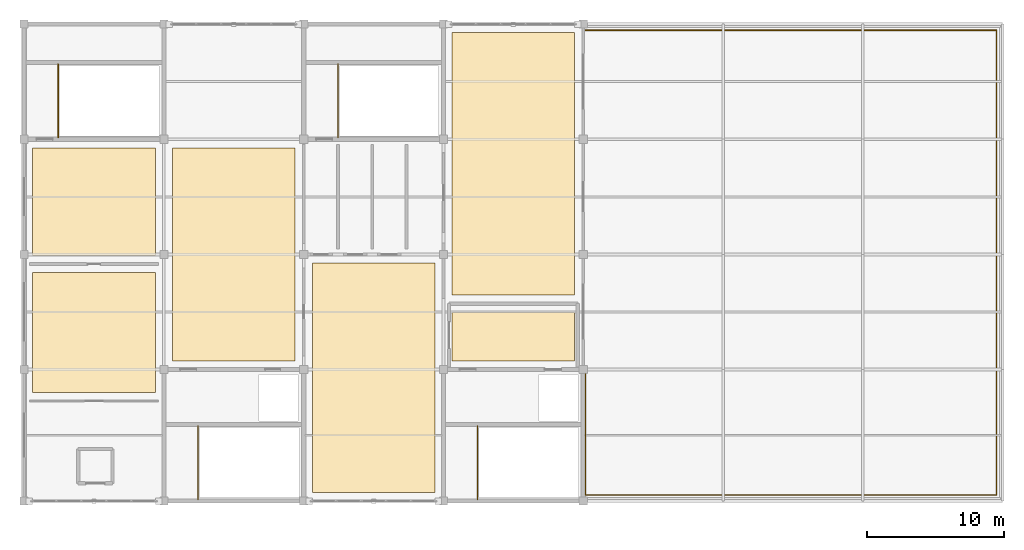
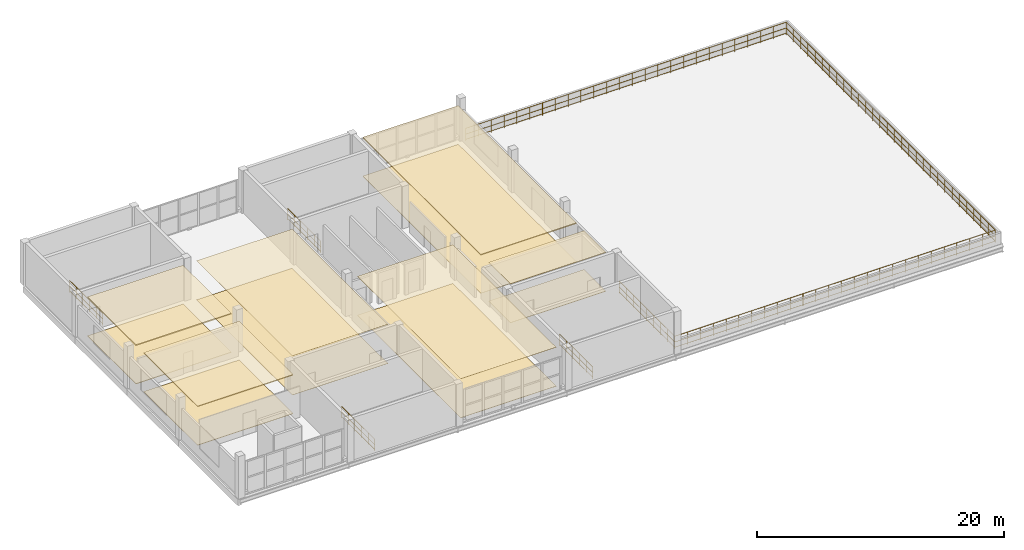
# One storey, part 12 of 12: 12 coverings, 8 railings.
"""IFC4 building model written with IfcOpenShell, lengths in metres."""

from ifc_helpers import new_model, si_unit, direction, frame, origin, origin_2d, place, context, subcontext, project, spatial, polyline, circle, outline, extrude, material, layer, layer_set, type_object, element, save


model = new_model("IFC4")

# Units and contexts
model_context = context("Model", 3, precision=1e-05, world=origin(), true_north=direction((0.0, 1.0)))
body_context = subcontext(model_context, "Body", "Model", "MODEL_VIEW")
ifc_project = project(units=[si_unit("LENGTHUNIT", "METRE"), si_unit("AREAUNIT", "SQUARE_METRE"), si_unit("VOLUMEUNIT", "CUBIC_METRE"), si_unit("PLANEANGLEUNIT", "RADIAN"), si_unit("MASSUNIT", "GRAM", prefix="KILO")], contexts=[model_context])

# Site, building, storey
site_placement = place(None, origin())
site = spatial("IfcSite", under=ifc_project, at=site_placement, CompositionType="ELEMENT")
building_placement = place(site_placement, origin())
building = spatial("IfcBuilding", under=site, at=building_placement, Name="Brelvane Convention Centre", CompositionType="ELEMENT")
storey_placement = place(building_placement, frame((0.0, 0.0, 23.39990234375)))
storey = spatial("IfcBuildingStorey", under=building, at=storey_placement, Name="L05", CompositionType="ELEMENT", Elevation=23.39990234375)

# Coverings
ifc_material_1 = material(Name="Perforated Anodised Aluminium Alloy 6063 Acoustic Baffle", Category="aluminium")
ifc_layer_1 = layer(ifc_material_1, 0.110107421875)
ifc_layer_set_1 = layer_set([ifc_layer_1], Name="Perforated Anodised Aluminium Alloy 6063 Acoustic Baffle")
covering_type_1 = type_object("IfcCoveringType", Name="Interior Finish CL-BAF-110", PredefinedType="CEILING", material=ifc_layer_set_1)
covering_1_placement = place(storey_placement, frame((0.0, 0.0, 3.781982421875)))
element("IfcCovering", 1, at=covering_1_placement, inside=storey, type_object=covering_type_1, Name="Panorama Finishing Kitchen Acoustic Ceiling (CL-BAF-110)", PredefinedType="CEILING", context=body_context, shape_type="SweptSolid", body=[
    extrude(outline(polyline([(0.6298828125, 127.1298828125), (9.570068359375, 127.1298828125), (9.570068359375, 134.969970703125), (0.6298828125, 134.969970703125), (0.6298828125, 127.1298828125)])), origin(), (0.0, 0.0, 1.0), 0.110107421875),
])
ifc_material_2 = material(Name="Perforated Anodised Aluminium Alloy 6063 Acoustic Baffle", Category="aluminium")
ifc_layer_2 = layer(ifc_material_2, 0.090087890625)
ifc_layer_set_2 = layer_set([ifc_layer_2], Name="Perforated Anodised Aluminium Alloy 6063 Acoustic Baffle")
covering_type_2 = type_object("IfcCoveringType", Name="Interior Finish CL-BAF-90", PredefinedType="CEILING", material=ifc_layer_set_2)
covering_2_placement = place(storey_placement, frame((0.0, 0.0, 3.802001953125)))
element("IfcCovering", 2, at=covering_2_placement, inside=storey, type_object=covering_type_2, Name="Delegate Panorama Sky Restaurant Acoustic Ceiling (CL-BAF-90)", PredefinedType="CEILING", context=body_context, shape_type="SweptSolid", body=[
    extrude(outline(polyline([(0.6298828125, 117.1298828125), (9.570068359375, 117.1298828125), (9.570068359375, 125.8701171875), (0.6298828125, 125.8701171875), (0.6298828125, 117.1298828125)])), origin(), (0.0, 0.0, 1.0), 0.090087890625),
])
covering_3_placement = place(storey_placement, frame((0.0, 0.0, 3.78515625)))
element("IfcCovering", 3, at=covering_3_placement, inside=storey, type_object=covering_type_2, Name="Summit Hospitality Lounge Acoustic Ceiling (CL-BAF-90)", PredefinedType="CEILING", context=body_context, shape_type="SweptSolid", body=[
    extrude(outline(polyline([(31.22998046875, 124.22998046875), (40.169921875, 124.22998046875), (40.169921875, 143.3701171875), (31.22998046875, 143.3701171875), (31.22998046875, 124.22998046875)])), origin(), (0.0, 0.0, 1.0), 0.08984375),
])
ifc_material_3 = material(Name="Moisture-Resistant Acoustic Gypsum Ceiling Tile Grade A")
ifc_layer_3 = layer(ifc_material_3, 0.01806640625)
ifc_layer_set_3 = layer_set([ifc_layer_3], Name="Moisture-Resistant Acoustic Gypsum Ceiling Tile Grade A")
covering_type_3 = type_object("IfcCoveringType", Name="Interior Finish CL-GYP-18", PredefinedType="CEILING", material=ifc_layer_set_3)
covering_4_placement = place(storey_placement, frame((0.0, 0.0, 3.8740234375)))
element("IfcCovering", 4, at=covering_4_placement, inside=storey, type_object=covering_type_3, Name="Presidential Summit Boardroom Acoustic Ceiling (CL-GYP-18)", PredefinedType="CEILING", context=body_context, shape_type="SweptSolid", body=[
    extrude(outline(polyline([(10.830078125, 119.429931640625), (19.77001953125, 119.429931640625), (19.77001953125, 134.969970703125), (10.830078125, 134.969970703125), (10.830078125, 119.429931640625)])), origin(), (0.0, 0.0, 1.0), 0.01806640625),
])
ifc_material_4 = material(Name="Moisture-Resistant Acoustic Gypsum Ceiling Tile Grade A")
ifc_layer_4 = layer(ifc_material_4, 0.02490234375)
ifc_layer_set_4 = layer_set([ifc_layer_4], Name="Moisture-Resistant Acoustic Gypsum Ceiling Tile Grade A")
covering_type_4 = type_object("IfcCoveringType", Name="Interior Finish CL-GYP-25", PredefinedType="CEILING", material=ifc_layer_set_4)
covering_5_placement = place(storey_placement, frame((0.0, 0.0, 3.85009765625)))
element("IfcCovering", 5, at=covering_5_placement, inside=storey, type_object=covering_type_4, Name="Pre-function Foyer Panorama L05 Acoustic Ceiling (CL-GYP-25)", PredefinedType="CEILING", context=body_context, shape_type="SweptSolid", body=[
    extrude(outline(polyline([(21.030029296875, 109.830078125), (29.969970703125, 109.830078125), (29.969970703125, 126.570068359375), (21.030029296875, 126.570068359375), (21.030029296875, 109.830078125)])), origin(), (0.0, 0.0, 1.0), 0.02490234375),
])
ifc_material_5 = material(Name="Moisture-Resistant Acoustic Gypsum Ceiling Tile Grade A")
ifc_layer_5 = layer(ifc_material_5, 0.033935546875)
ifc_layer_set_5 = layer_set([ifc_layer_5], Name="Moisture-Resistant Acoustic Gypsum Ceiling Tile Grade A")
covering_type_5 = type_object("IfcCoveringType", Name="Interior Finish CL-GYP-34", PredefinedType="CEILING", material=ifc_layer_set_5)
covering_6_placement = place(storey_placement, frame((0.0, 0.0, 3.841064453125)))
element("IfcCovering", 6, at=covering_6_placement, inside=storey, type_object=covering_type_5, Name="Firefighting Lift Lobby C7 Acoustic Ceiling (CL-GYP-34)", PredefinedType="CEILING", context=body_context, shape_type="SweptSolid", body=[
    extrude(outline(polyline([(31.22998046875, 119.429931640625), (40.169921875, 119.429931640625), (40.169921875, 122.969970703125), (31.22998046875, 122.969970703125), (31.22998046875, 119.429931640625)])), origin(), (0.0, 0.0, 1.0), 0.033935546875),
])
ifc_material_6 = material(Name="Solution-Dyed Heavy Contract Wool Carpet Class 1")
ifc_layer_6 = layer(ifc_material_6, 0.02197265625)
ifc_layer_set_6 = layer_set([ifc_layer_6], Name="Solution-Dyed Heavy Contract Wool Carpet Class 1")
covering_type_6 = type_object("IfcCoveringType", Name="Interior Finish FL-CPT-22", PredefinedType="FLOORING", material=ifc_layer_set_6)
covering_7_placement = place(storey_placement, origin())
element("IfcCovering", 7, at=covering_7_placement, inside=storey, type_object=covering_type_6, Name="Presidential Summit Boardroom Floor Finish (FL-CPT-22)", PredefinedType="FLOORING", context=body_context, shape_type="SweptSolid", body=[
    extrude(outline(polyline([(10.830078125, 119.429931640625), (19.77001953125, 119.429931640625), (19.77001953125, 134.969970703125), (10.830078125, 134.969970703125), (10.830078125, 119.429931640625)])), origin(), (0.0, 0.0, 1.0), 0.022216796875),
])
ifc_material_7 = material(Name="Solution-Dyed Heavy Contract Wool Carpet Class 1")
ifc_layer_7 = layer(ifc_material_7, 0.028076171875)
ifc_layer_set_7 = layer_set([ifc_layer_7], Name="Solution-Dyed Heavy Contract Wool Carpet Class 1")
covering_type_7 = type_object("IfcCoveringType", Name="Interior Finish FL-CPT-28", PredefinedType="FLOORING", material=ifc_layer_set_7)
covering_8_placement = place(storey_placement, origin())
element("IfcCovering", 8, at=covering_8_placement, inside=storey, type_object=covering_type_7, Name="Pre-function Foyer Panorama L05 Floor Finish (FL-CPT-28)", PredefinedType="FLOORING", context=body_context, shape_type="SweptSolid", body=[
    extrude(outline(polyline([(21.030029296875, 109.830078125), (29.969970703125, 109.830078125), (29.969970703125, 126.570068359375), (21.030029296875, 126.570068359375), (21.030029296875, 109.830078125)])), origin(), (0.0, 0.0, 1.0), 0.028076171875),
])
ifc_material_8 = material(Name="Heavy-Duty Quartz-Filled Industrial Epoxy Screed Grade A")
ifc_layer_8 = layer(ifc_material_8, 0.034912109375)
ifc_layer_set_8 = layer_set([ifc_layer_8], Name="Heavy-Duty Quartz-Filled Industrial Epoxy Screed Grade A")
covering_type_8 = type_object("IfcCoveringType", Name="Interior Finish FL-EPX-35", PredefinedType="FLOORING", material=ifc_layer_set_8)
covering_9_placement = place(storey_placement, origin())
element("IfcCovering", 9, at=covering_9_placement, inside=storey, type_object=covering_type_8, Name="Delegate Panorama Sky Restaurant Floor Finish (FL-EPX-35)", PredefinedType="FLOORING", context=body_context, shape_type="SweptSolid", body=[
    extrude(outline(polyline([(0.6298828125, 117.1298828125), (9.570068359375, 117.1298828125), (9.570068359375, 125.8701171875), (0.6298828125, 125.8701171875), (0.6298828125, 117.1298828125)])), origin(), (0.0, 0.0, 1.0), 0.03515625),
])
covering_10_placement = place(storey_placement, origin())
element("IfcCovering", 10, at=covering_10_placement, inside=storey, type_object=covering_type_8, Name="Summit Hospitality Lounge Floor Finish (FL-EPX-35)", PredefinedType="FLOORING", context=body_context, shape_type="SweptSolid", body=[
    extrude(outline(polyline([(31.22998046875, 124.22998046875), (40.169921875, 124.22998046875), (40.169921875, 143.3701171875), (31.22998046875, 143.3701171875), (31.22998046875, 124.22998046875)])), origin(), (0.0, 0.0, 1.0), 0.03515625),
])
ifc_material_9 = material(Name="Heavy-Duty Quartz-Filled Industrial Epoxy Screed Grade A")
ifc_layer_9 = layer(ifc_material_9, 0.044921875)
ifc_layer_set_9 = layer_set([ifc_layer_9], Name="Heavy-Duty Quartz-Filled Industrial Epoxy Screed Grade A")
covering_type_9 = type_object("IfcCoveringType", Name="Interior Finish FL-EPX-45", PredefinedType="FLOORING", material=ifc_layer_set_9)
covering_11_placement = place(storey_placement, origin())
element("IfcCovering", 11, at=covering_11_placement, inside=storey, type_object=covering_type_9, Name="Panorama Finishing Kitchen Floor Finish (FL-EPX-45)", PredefinedType="FLOORING", context=body_context, shape_type="SweptSolid", body=[
    extrude(outline(polyline([(0.6298828125, 127.1298828125), (9.570068359375, 127.1298828125), (9.570068359375, 134.969970703125), (0.6298828125, 134.969970703125), (0.6298828125, 127.1298828125)])), origin(), (0.0, 0.0, 1.0), 0.045166015625),
])
ifc_material_10 = material(Name="Polished Basalt-Aggregate Terrazzo Screed Concrete M30", Category="masonry")
ifc_layer_10 = layer(ifc_material_10, 0.031982421875)
ifc_layer_set_10 = layer_set([ifc_layer_10], Name="Polished Basalt-Aggregate Terrazzo Screed Concrete M30")
covering_type_10 = type_object("IfcCoveringType", Name="Interior Finish FL-STN-32", PredefinedType="FLOORING", material=ifc_layer_set_10)
covering_12_placement = place(storey_placement, origin())
element("IfcCovering", 12, at=covering_12_placement, inside=storey, type_object=covering_type_10, Name="Firefighting Lift Lobby C7 Floor Finish (FL-STN-32)", PredefinedType="FLOORING", context=body_context, shape_type="SweptSolid", body=[
    extrude(outline(polyline([(31.22998046875, 119.429931640625), (40.169921875, 119.429931640625), (40.169921875, 122.969970703125), (31.22998046875, 122.969970703125), (31.22998046875, 119.429931640625)])), origin(), (0.0, 0.0, 1.0), 0.031982421875),
])

# Railings
ifc_material_11 = material(Name="Steel E350 (350 MPa)", Category="steel")
railing_type_1 = type_object("IfcRailingType", Name="Railing GR-EXT-3", PredefinedType="GUARDRAIL", material=ifc_material_11)
railing_1_placement = place(storey_placement, frame((40.949951171875, 118.64990234375, 0.0)))
element("IfcRailing", 13, at=railing_1_placement, inside=storey, type_object=railing_type_1, Name="Railing GR-EXT-3 L05-rg_meet_l05_s1", PredefinedType="GUARDRAIL", context=body_context, shape_type="SweptSolid", body=[
    extrude(circle(Radius=0.02392578125, at=origin_2d()), frame((0.0, 0.0, 1.22607421875), z_axis=(0.0, -1.0, 0.0), x_axis=(1.0, 0.0, 0.0)), (0.0, 0.0, 1.0), 9.0),
    extrude(circle(Radius=0.02392578125, at=origin_2d()), frame((0.0, 0.0, 0.64990234375), z_axis=(0.0, -1.0, 0.0), x_axis=(1.0, 0.0, 0.0)), (0.0, 0.0, 1.0), 9.0),
    extrude(circle(Radius=0.02392578125, at=origin_2d()), frame((0.0, 0.0, 0.139892578125), z_axis=(0.0, -1.0, 0.0), x_axis=(1.0, 0.0, 0.0)), (0.0, 0.0, 1.0), 9.0),
    extrude(circle(Radius=0.02099609375, at=origin_2d()), origin(), (0.0, 0.0, 1.0), 1.201904296875),
    extrude(circle(Radius=0.02099609375, at=origin_2d()), frame((0.0, -1.125, 0.0)), (0.0, 0.0, 1.0), 1.201904296875),
    extrude(circle(Radius=0.02099609375, at=origin_2d()), frame((0.0, -2.25, 0.0)), (0.0, 0.0, 1.0), 1.201904296875),
    extrude(circle(Radius=0.02099609375, at=origin_2d()), frame((0.0, -3.375, 0.0)), (0.0, 0.0, 1.0), 1.201904296875),
    extrude(circle(Radius=0.02099609375, at=origin_2d()), frame((0.0, -4.5, 0.0)), (0.0, 0.0, 1.0), 1.201904296875),
    extrude(circle(Radius=0.02099609375, at=origin_2d()), frame((0.0, -5.625, 0.0)), (0.0, 0.0, 1.0), 1.201904296875),
    extrude(circle(Radius=0.02099609375, at=origin_2d()), frame((0.0, -6.75, 0.0)), (0.0, 0.0, 1.0), 1.201904296875),
    extrude(circle(Radius=0.02099609375, at=origin_2d()), frame((0.0, -7.875, 0.0)), (0.0, 0.0, 1.0), 1.201904296875),
    extrude(circle(Radius=0.02099609375, at=origin_2d()), frame((0.0, -9.0, 0.0)), (0.0, 0.0, 1.0), 1.201904296875),
])
railing_2_placement = place(storey_placement, frame((40.949951171875, 109.64990234375, 0.0)))
element("IfcRailing", 14, at=railing_2_placement, inside=storey, type_object=railing_type_1, Name="Railing GR-EXT-3 L05-rg_meet_l05_s2", PredefinedType="GUARDRAIL", context=body_context, shape_type="SweptSolid", body=[
    extrude(circle(Radius=0.02392578125, at=origin_2d()), frame((0.0, 0.0, 1.22607421875), z_axis=(1.0, 0.0, 0.0), x_axis=(0.0, 1.0, 0.0)), (0.0, 0.0, 1.0), 30.0),
    extrude(circle(Radius=0.02392578125, at=origin_2d()), frame((0.0, 0.0, 0.64990234375), z_axis=(1.0, 0.0, 0.0), x_axis=(0.0, 1.0, 0.0)), (0.0, 0.0, 1.0), 30.0),
    extrude(circle(Radius=0.02392578125, at=origin_2d()), frame((0.0, 0.0, 0.139892578125), z_axis=(1.0, 0.0, 0.0), x_axis=(0.0, 1.0, 0.0)), (0.0, 0.0, 1.0), 30.0),
    extrude(circle(Radius=0.02099609375, at=origin_2d()), origin(), (0.0, 0.0, 1.0), 1.201904296875),
    extrude(circle(Radius=0.02099609375, at=origin_2d()), frame((1.199951171875, 0.0, 0.0)), (0.0, 0.0, 1.0), 1.201904296875),
    extrude(circle(Radius=0.02099609375, at=origin_2d()), frame((2.39990234375, 0.0, 0.0)), (0.0, 0.0, 1.0), 1.201904296875),
    extrude(circle(Radius=0.02099609375, at=origin_2d()), frame((3.60009765625, 0.0, 0.0)), (0.0, 0.0, 1.0), 1.201904296875),
    extrude(circle(Radius=0.02099609375, at=origin_2d()), frame((4.800048828125, 0.0, 0.0)), (0.0, 0.0, 1.0), 1.201904296875),
    extrude(circle(Radius=0.02099609375, at=origin_2d()), frame((6.0, 0.0, 0.0)), (0.0, 0.0, 1.0), 1.201904296875),
    extrude(circle(Radius=0.02099609375, at=origin_2d()), frame((7.199951171875, 0.0, 0.0)), (0.0, 0.0, 1.0), 1.201904296875),
    extrude(circle(Radius=0.02099609375, at=origin_2d()), frame((8.39990234375, 0.0, 0.0)), (0.0, 0.0, 1.0), 1.201904296875),
    extrude(circle(Radius=0.02099609375, at=origin_2d()), frame((9.60009765625, 0.0, 0.0)), (0.0, 0.0, 1.0), 1.201904296875),
    extrude(circle(Radius=0.02099609375, at=origin_2d()), frame((10.800048828125, 0.0, 0.0)), (0.0, 0.0, 1.0), 1.201904296875),
    extrude(circle(Radius=0.02099609375, at=origin_2d()), frame((12.0, 0.0, 0.0)), (0.0, 0.0, 1.0), 1.201904296875),
    extrude(circle(Radius=0.02099609375, at=origin_2d()), frame((13.199951171875, 0.0, 0.0)), (0.0, 0.0, 1.0), 1.201904296875),
    extrude(circle(Radius=0.02099609375, at=origin_2d()), frame((14.39990234375, 0.0, 0.0)), (0.0, 0.0, 1.0), 1.201904296875),
    extrude(circle(Radius=0.02099609375, at=origin_2d()), frame((15.60009765625, 0.0, 0.0)), (0.0, 0.0, 1.0), 1.201904296875),
    extrude(circle(Radius=0.02099609375, at=origin_2d()), frame((16.800048828125, 0.0, 0.0)), (0.0, 0.0, 1.0), 1.201904296875),
    extrude(circle(Radius=0.02099609375, at=origin_2d()), frame((18.0, 0.0, 0.0)), (0.0, 0.0, 1.0), 1.201904296875),
    extrude(circle(Radius=0.02099609375, at=origin_2d()), frame((19.199951171875, 0.0, 0.0)), (0.0, 0.0, 1.0), 1.201904296875),
    extrude(circle(Radius=0.02099609375, at=origin_2d()), frame((20.39990234375, 0.0, 0.0)), (0.0, 0.0, 1.0), 1.201904296875),
    extrude(circle(Radius=0.02099609375, at=origin_2d()), frame((21.60009765625, 0.0, 0.0)), (0.0, 0.0, 1.0), 1.201904296875),
    extrude(circle(Radius=0.02099609375, at=origin_2d()), frame((22.800048828125, 0.0, 0.0)), (0.0, 0.0, 1.0), 1.201904296875),
    extrude(circle(Radius=0.02099609375, at=origin_2d()), frame((24.0, 0.0, 0.0)), (0.0, 0.0, 1.0), 1.201904296875),
    extrude(circle(Radius=0.02099609375, at=origin_2d()), frame((25.199951171875, 0.0, 0.0)), (0.0, 0.0, 1.0), 1.201904296875),
    extrude(circle(Radius=0.02099609375, at=origin_2d()), frame((26.39990234375, 0.0, 0.0)), (0.0, 0.0, 1.0), 1.201904296875),
    extrude(circle(Radius=0.02099609375, at=origin_2d()), frame((27.60009765625, 0.0, 0.0)), (0.0, 0.0, 1.0), 1.201904296875),
    extrude(circle(Radius=0.02099609375, at=origin_2d()), frame((28.800048828125, 0.0, 0.0)), (0.0, 0.0, 1.0), 1.201904296875),
    extrude(circle(Radius=0.02099609375, at=origin_2d()), frame((30.0, 0.0, 0.0)), (0.0, 0.0, 1.0), 1.201904296875),
])
railing_3_placement = place(storey_placement, frame((70.949951171875, 109.64990234375, 0.0)))
element("IfcRailing", 15, at=railing_3_placement, inside=storey, type_object=railing_type_1, Name="Railing GR-EXT-3 L05-rg_meet_l05_s3", PredefinedType="GUARDRAIL", context=body_context, shape_type="SweptSolid", body=[
    extrude(circle(Radius=0.02392578125, at=origin_2d()), frame((0.0, 0.0, 1.22607421875), z_axis=(0.0, 1.0, 0.0), x_axis=(-1.0, 0.0, 0.0)), (0.0, 0.0, 1.0), 33.900146484375),
    extrude(circle(Radius=0.02392578125, at=origin_2d()), frame((0.0, 0.0, 0.64990234375), z_axis=(0.0, 1.0, 0.0), x_axis=(-1.0, 0.0, 0.0)), (0.0, 0.0, 1.0), 33.900146484375),
    extrude(circle(Radius=0.02392578125, at=origin_2d()), frame((0.0, 0.0, 0.139892578125), z_axis=(0.0, 1.0, 0.0), x_axis=(-1.0, 0.0, 0.0)), (0.0, 0.0, 1.0), 33.900146484375),
    extrude(circle(Radius=0.02099609375, at=origin_2d()), origin(), (0.0, 0.0, 1.0), 1.201904296875),
    extrude(circle(Radius=0.02099609375, at=origin_2d()), frame((0.0, 1.1689453125, 0.0)), (0.0, 0.0, 1.0), 1.201904296875),
    extrude(circle(Radius=0.02099609375, at=origin_2d()), frame((0.0, 2.337890625, 0.0)), (0.0, 0.0, 1.0), 1.201904296875),
    extrude(circle(Radius=0.02099609375, at=origin_2d()), frame((0.0, 3.5068359375, 0.0)), (0.0, 0.0, 1.0), 1.201904296875),
    extrude(circle(Radius=0.02099609375, at=origin_2d()), frame((0.0, 4.67578125, 0.0)), (0.0, 0.0, 1.0), 1.201904296875),
    extrude(circle(Radius=0.02099609375, at=origin_2d()), frame((0.0, 5.844970703125, 0.0)), (0.0, 0.0, 1.0), 1.201904296875),
    extrude(circle(Radius=0.02099609375, at=origin_2d()), frame((0.0, 7.013916015625, 0.0)), (0.0, 0.0, 1.0), 1.201904296875),
    extrude(circle(Radius=0.02099609375, at=origin_2d()), frame((0.0, 8.182861328125, 0.0)), (0.0, 0.0, 1.0), 1.201904296875),
    extrude(circle(Radius=0.02099609375, at=origin_2d()), frame((0.0, 9.351806640625, 0.0)), (0.0, 0.0, 1.0), 1.201904296875),
    extrude(circle(Radius=0.02099609375, at=origin_2d()), frame((0.0, 10.520751953125, 0.0)), (0.0, 0.0, 1.0), 1.201904296875),
    extrude(circle(Radius=0.02099609375, at=origin_2d()), frame((0.0, 11.689697265625, 0.0)), (0.0, 0.0, 1.0), 1.201904296875),
    extrude(circle(Radius=0.02099609375, at=origin_2d()), frame((0.0, 12.858642578125, 0.0)), (0.0, 0.0, 1.0), 1.201904296875),
    extrude(circle(Radius=0.02099609375, at=origin_2d()), frame((0.0, 14.027587890625, 0.0)), (0.0, 0.0, 1.0), 1.201904296875),
    extrude(circle(Radius=0.02099609375, at=origin_2d()), frame((0.0, 15.196533203125, 0.0)), (0.0, 0.0, 1.0), 1.201904296875),
    extrude(circle(Radius=0.02099609375, at=origin_2d()), frame((0.0, 16.365478515625, 0.0)), (0.0, 0.0, 1.0), 1.201904296875),
    extrude(circle(Radius=0.02099609375, at=origin_2d()), frame((0.0, 17.53466796875, 0.0)), (0.0, 0.0, 1.0), 1.201904296875),
    extrude(circle(Radius=0.02099609375, at=origin_2d()), frame((0.0, 18.70361328125, 0.0)), (0.0, 0.0, 1.0), 1.201904296875),
    extrude(circle(Radius=0.02099609375, at=origin_2d()), frame((0.0, 19.87255859375, 0.0)), (0.0, 0.0, 1.0), 1.201904296875),
    extrude(circle(Radius=0.02099609375, at=origin_2d()), frame((0.0, 21.04150390625, 0.0)), (0.0, 0.0, 1.0), 1.201904296875),
    extrude(circle(Radius=0.02099609375, at=origin_2d()), frame((0.0, 22.21044921875, 0.0)), (0.0, 0.0, 1.0), 1.201904296875),
    extrude(circle(Radius=0.02099609375, at=origin_2d()), frame((0.0, 23.37939453125, 0.0)), (0.0, 0.0, 1.0), 1.201904296875),
    extrude(circle(Radius=0.02099609375, at=origin_2d()), frame((0.0, 24.54833984375, 0.0)), (0.0, 0.0, 1.0), 1.201904296875),
    extrude(circle(Radius=0.02099609375, at=origin_2d()), frame((0.0, 25.71728515625, 0.0)), (0.0, 0.0, 1.0), 1.201904296875),
    extrude(circle(Radius=0.02099609375, at=origin_2d()), frame((0.0, 26.88623046875, 0.0)), (0.0, 0.0, 1.0), 1.201904296875),
    extrude(circle(Radius=0.02099609375, at=origin_2d()), frame((0.0, 28.05517578125, 0.0)), (0.0, 0.0, 1.0), 1.201904296875),
    extrude(circle(Radius=0.02099609375, at=origin_2d()), frame((0.0, 29.224365234375, 0.0)), (0.0, 0.0, 1.0), 1.201904296875),
    extrude(circle(Radius=0.02099609375, at=origin_2d()), frame((0.0, 30.393310546875, 0.0)), (0.0, 0.0, 1.0), 1.201904296875),
    extrude(circle(Radius=0.02099609375, at=origin_2d()), frame((0.0, 31.562255859375, 0.0)), (0.0, 0.0, 1.0), 1.201904296875),
    extrude(circle(Radius=0.02099609375, at=origin_2d()), frame((0.0, 32.731201171875, 0.0)), (0.0, 0.0, 1.0), 1.201904296875),
    extrude(circle(Radius=0.02099609375, at=origin_2d()), frame((0.0, 33.900146484375, 0.0)), (0.0, 0.0, 1.0), 1.201904296875),
])
railing_4_placement = place(storey_placement, frame((70.949951171875, 143.550048828125, 0.0)))
element("IfcRailing", 16, at=railing_4_placement, inside=storey, type_object=railing_type_1, Name="Railing GR-EXT-3 L05-rg_meet_l05_s4", PredefinedType="GUARDRAIL", context=body_context, shape_type="SweptSolid", body=[
    extrude(circle(Radius=0.02392578125, at=origin_2d()), frame((0.0, 0.0, 1.22607421875), z_axis=(-1.0, 0.0, 0.0), x_axis=(0.0, -1.0, 0.0)), (0.0, 0.0, 1.0), 30.0),
    extrude(circle(Radius=0.02392578125, at=origin_2d()), frame((0.0, 0.0, 0.64990234375), z_axis=(-1.0, 0.0, 0.0), x_axis=(0.0, -1.0, 0.0)), (0.0, 0.0, 1.0), 30.0),
    extrude(circle(Radius=0.02392578125, at=origin_2d()), frame((0.0, 0.0, 0.139892578125), z_axis=(-1.0, 0.0, 0.0), x_axis=(0.0, -1.0, 0.0)), (0.0, 0.0, 1.0), 30.0),
    extrude(circle(Radius=0.02099609375, at=origin_2d()), origin(), (0.0, 0.0, 1.0), 1.201904296875),
    extrude(circle(Radius=0.02099609375, at=origin_2d()), frame((-1.199951171875, 0.0, 0.0)), (0.0, 0.0, 1.0), 1.201904296875),
    extrude(circle(Radius=0.02099609375, at=origin_2d()), frame((-2.39990234375, 0.0, 0.0)), (0.0, 0.0, 1.0), 1.201904296875),
    extrude(circle(Radius=0.02099609375, at=origin_2d()), frame((-3.60009765625, 0.0, 0.0)), (0.0, 0.0, 1.0), 1.201904296875),
    extrude(circle(Radius=0.02099609375, at=origin_2d()), frame((-4.800048828125, 0.0, 0.0)), (0.0, 0.0, 1.0), 1.201904296875),
    extrude(circle(Radius=0.02099609375, at=origin_2d()), frame((-6.0, 0.0, 0.0)), (0.0, 0.0, 1.0), 1.201904296875),
    extrude(circle(Radius=0.02099609375, at=origin_2d()), frame((-7.199951171875, 0.0, 0.0)), (0.0, 0.0, 1.0), 1.201904296875),
    extrude(circle(Radius=0.02099609375, at=origin_2d()), frame((-8.39990234375, 0.0, 0.0)), (0.0, 0.0, 1.0), 1.201904296875),
    extrude(circle(Radius=0.02099609375, at=origin_2d()), frame((-9.60009765625, 0.0, 0.0)), (0.0, 0.0, 1.0), 1.201904296875),
    extrude(circle(Radius=0.02099609375, at=origin_2d()), frame((-10.800048828125, 0.0, 0.0)), (0.0, 0.0, 1.0), 1.201904296875),
    extrude(circle(Radius=0.02099609375, at=origin_2d()), frame((-12.0, 0.0, 0.0)), (0.0, 0.0, 1.0), 1.201904296875),
    extrude(circle(Radius=0.02099609375, at=origin_2d()), frame((-13.199951171875, 0.0, 0.0)), (0.0, 0.0, 1.0), 1.201904296875),
    extrude(circle(Radius=0.02099609375, at=origin_2d()), frame((-14.39990234375, 0.0, 0.0)), (0.0, 0.0, 1.0), 1.201904296875),
    extrude(circle(Radius=0.02099609375, at=origin_2d()), frame((-15.60009765625, 0.0, 0.0)), (0.0, 0.0, 1.0), 1.201904296875),
    extrude(circle(Radius=0.02099609375, at=origin_2d()), frame((-16.800048828125, 0.0, 0.0)), (0.0, 0.0, 1.0), 1.201904296875),
    extrude(circle(Radius=0.02099609375, at=origin_2d()), frame((-18.0, 0.0, 0.0)), (0.0, 0.0, 1.0), 1.201904296875),
    extrude(circle(Radius=0.02099609375, at=origin_2d()), frame((-19.199951171875, 0.0, 0.0)), (0.0, 0.0, 1.0), 1.201904296875),
    extrude(circle(Radius=0.02099609375, at=origin_2d()), frame((-20.39990234375, 0.0, 0.0)), (0.0, 0.0, 1.0), 1.201904296875),
    extrude(circle(Radius=0.02099609375, at=origin_2d()), frame((-21.60009765625, 0.0, 0.0)), (0.0, 0.0, 1.0), 1.201904296875),
    extrude(circle(Radius=0.02099609375, at=origin_2d()), frame((-22.800048828125, 0.0, 0.0)), (0.0, 0.0, 1.0), 1.201904296875),
    extrude(circle(Radius=0.02099609375, at=origin_2d()), frame((-24.0, 0.0, 0.0)), (0.0, 0.0, 1.0), 1.201904296875),
    extrude(circle(Radius=0.02099609375, at=origin_2d()), frame((-25.199951171875, 0.0, 0.0)), (0.0, 0.0, 1.0), 1.201904296875),
    extrude(circle(Radius=0.02099609375, at=origin_2d()), frame((-26.39990234375, 0.0, 0.0)), (0.0, 0.0, 1.0), 1.201904296875),
    extrude(circle(Radius=0.02099609375, at=origin_2d()), frame((-27.60009765625, 0.0, 0.0)), (0.0, 0.0, 1.0), 1.201904296875),
    extrude(circle(Radius=0.02099609375, at=origin_2d()), frame((-28.800048828125, 0.0, 0.0)), (0.0, 0.0, 1.0), 1.201904296875),
    extrude(circle(Radius=0.02099609375, at=origin_2d()), frame((-30.0, 0.0, 0.0)), (0.0, 0.0, 1.0), 1.201904296875),
])
ifc_material_12 = material(Name="Steel E350 (350 MPa)", Category="steel")
railing_type_2 = type_object("IfcRailingType", Name="Stair Railing GR-ST-2", PredefinedType="GUARDRAIL", material=ifc_material_12)
for number, where, name in (
    (17, (12.68994140625, 109.320068359375, -0.02001953125), "Stair ST-06 L05 Top Well Guard"),
    (18, (33.090087890625, 109.320068359375, -0.02001953125), "Stair ST-07 L05 Top Well Guard"),
):
    element("IfcRailing", number, at=place(storey_placement, frame(where)), inside=storey, type_object=railing_type_2, Name=name, PredefinedType="GUARDRAIL", context=body_context, shape_type="SweptSolid", body=[
        extrude(circle(Radius=0.02392578125, at=origin_2d()), frame((0.0, 0.0, 1.15576171875), z_axis=(0.0, 1.0, 0.0), x_axis=(-1.0, 0.0, 0.0)), (0.0, 0.0, 1.0), 5.35986328125),
        extrude(circle(Radius=0.02392578125, at=origin_2d()), frame((0.0, 0.0, 0.613525390625), z_axis=(0.0, 1.0, 0.0), x_axis=(-1.0, 0.0, 0.0)), (0.0, 0.0, 1.0), 5.35986328125),
        extrude(circle(Radius=0.02392578125, at=origin_2d()), frame((0.0, 0.0, 0.139892578125), z_axis=(0.0, 1.0, 0.0), x_axis=(-1.0, 0.0, 0.0)), (0.0, 0.0, 1.0), 5.35986328125),
        extrude(circle(Radius=0.02099609375, at=origin_2d()), origin(), (0.0, 0.0, 1.0), 1.1318359375),
        extrude(circle(Radius=0.02099609375, at=origin_2d()), frame((0.0, 1.072021484375, 0.0)), (0.0, 0.0, 1.0), 1.1318359375),
        extrude(circle(Radius=0.02099609375, at=origin_2d()), frame((0.0, 2.14404296875, 0.0)), (0.0, 0.0, 1.0), 1.1318359375),
        extrude(circle(Radius=0.02099609375, at=origin_2d()), frame((0.0, 3.2158203125, 0.0)), (0.0, 0.0, 1.0), 1.1318359375),
        extrude(circle(Radius=0.02099609375, at=origin_2d()), frame((0.0, 4.287841796875, 0.0)), (0.0, 0.0, 1.0), 1.1318359375),
        extrude(circle(Radius=0.02099609375, at=origin_2d()), frame((0.0, 5.35986328125, 0.0)), (0.0, 0.0, 1.0), 1.1318359375),
    ])
for number, where, name in (
    (19, (22.889892578125, 135.719970703125, -0.02001953125), "Stair ST-13 L05 Top Well Guard"),
    (20, (2.489990234375, 135.719970703125, -0.02001953125), "Stair ST-17 L05 Top Well Guard"),
):
    element("IfcRailing", number, at=place(storey_placement, frame(where)), inside=storey, type_object=railing_type_2, Name=name, PredefinedType="GUARDRAIL", context=body_context, shape_type="SweptSolid", body=[
        extrude(circle(Radius=0.02392578125, at=origin_2d()), frame((0.0, 0.0, 1.15576171875), z_axis=(0.0, 1.0, 0.0), x_axis=(-1.0, 0.0, 0.0)), (0.0, 0.0, 1.0), 5.360107421875),
        extrude(circle(Radius=0.02392578125, at=origin_2d()), frame((0.0, 0.0, 0.613525390625), z_axis=(0.0, 1.0, 0.0), x_axis=(-1.0, 0.0, 0.0)), (0.0, 0.0, 1.0), 5.360107421875),
        extrude(circle(Radius=0.02392578125, at=origin_2d()), frame((0.0, 0.0, 0.139892578125), z_axis=(0.0, 1.0, 0.0), x_axis=(-1.0, 0.0, 0.0)), (0.0, 0.0, 1.0), 5.360107421875),
        extrude(circle(Radius=0.02099609375, at=origin_2d()), origin(), (0.0, 0.0, 1.0), 1.1318359375),
        extrude(circle(Radius=0.02099609375, at=origin_2d()), frame((0.0, 1.072021484375, 0.0)), (0.0, 0.0, 1.0), 1.1318359375),
        extrude(circle(Radius=0.02099609375, at=origin_2d()), frame((0.0, 2.14404296875, 0.0)), (0.0, 0.0, 1.0), 1.1318359375),
        extrude(circle(Radius=0.02099609375, at=origin_2d()), frame((0.0, 3.216064453125, 0.0)), (0.0, 0.0, 1.0), 1.1318359375),
        extrude(circle(Radius=0.02099609375, at=origin_2d()), frame((0.0, 4.2880859375, 0.0)), (0.0, 0.0, 1.0), 1.1318359375),
        extrude(circle(Radius=0.02099609375, at=origin_2d()), frame((0.0, 5.360107421875, 0.0)), (0.0, 0.0, 1.0), 1.1318359375),
    ])

save(model, "model.ifc")
